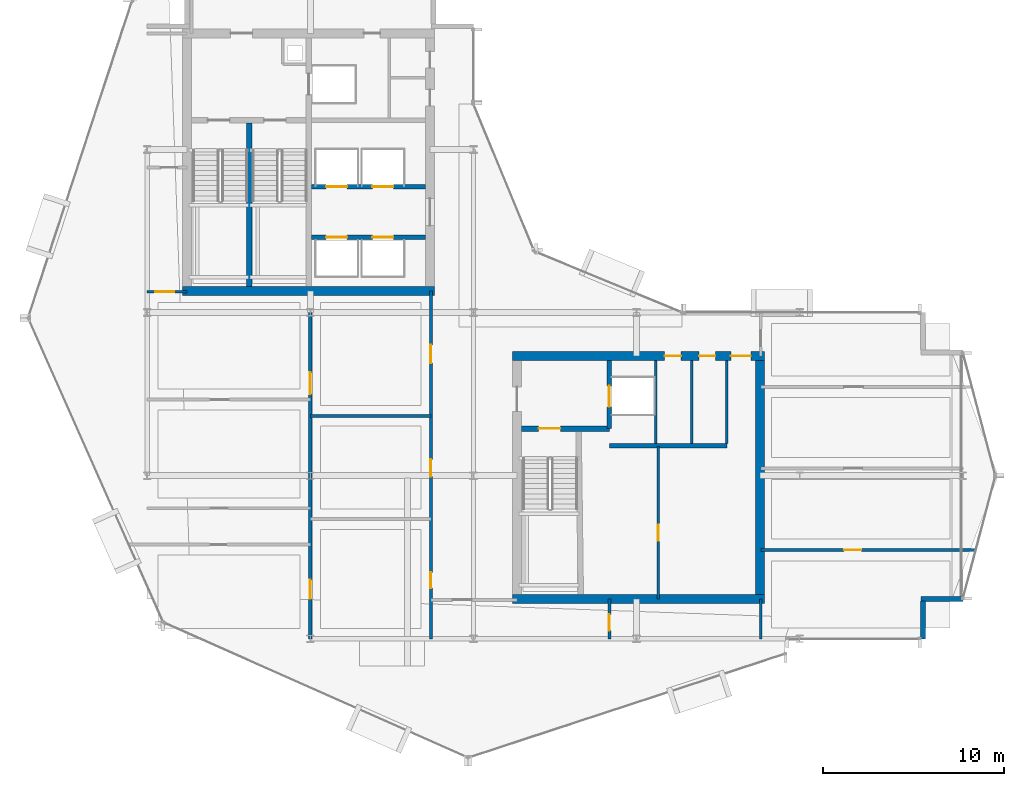
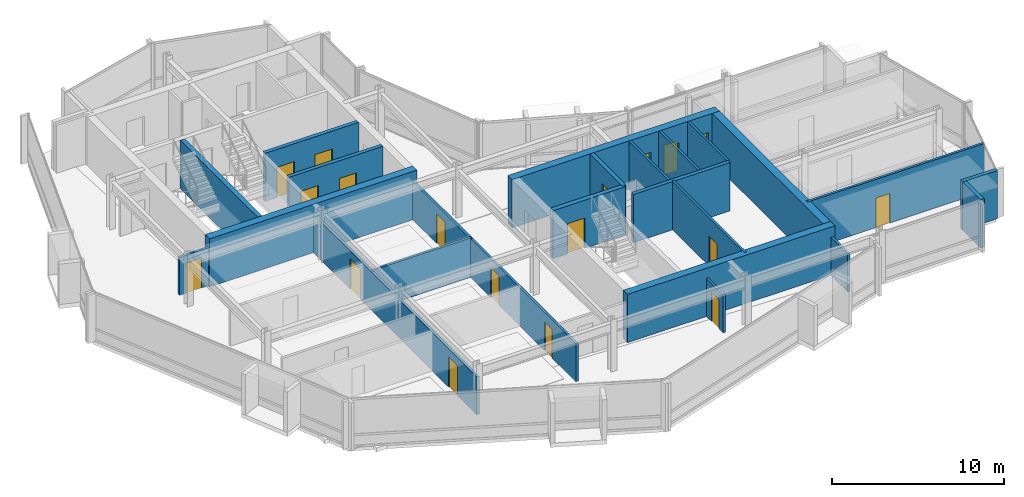
# One storey, part 20 of 28: 23 walls, 18 doors, 18 openings.
"""IFC4 building model written with IfcOpenShell, lengths in metres."""

import ifcopenshell
import ifcopenshell.guid

model = None  # the IFC model being written
_history = None  # IfcOwnerHistory: only IFC2X3 demands one
_inside = {}  # id of a spatial element -> (the spatial element, [elements in it])
_under = {}  # id of a project, library or spatial element -> (it, [spatial elements below it])
_declared = {}  # id of a project -> (the project, [libraries it declares])
_typed = {}  # id of a type object -> (the type object, [elements of that type])
_made_of = {}  # id of a material, layer set ... -> (it, [elements and type objects made of it])


def new_model(schema):
    """Start an empty IFC model of exactly this schema.

    Asked for "IFC4X3", IfcOpenShell would pick the latest addendum, in which some entities
    have other attributes; the version numbers below select the first issue.
    IFC2X3 requires an IfcOwnerHistory on every rooted entity: one is made here for all.
    """
    global model, _history
    if schema == "IFC4X3":
        model = ifcopenshell.file(schema_version=(4, 3, 0, 0))
    else:
        model = ifcopenshell.file(schema=schema)
    _inside.clear()
    _under.clear()
    _declared.clear()
    _typed.clear()
    _made_of.clear()
    _history = None
    if model.schema == "IFC2X3":
        org = make("IfcOrganization", Name="unknown")
        user = make(
            "IfcPersonAndOrganization",
            ThePerson=make("IfcPerson", FamilyName="unknown"),
            TheOrganization=org,
        )
        app = make(
            "IfcApplication",
            ApplicationDeveloper=org,
            Version="unknown",
            ApplicationFullName="unknown",
            ApplicationIdentifier="unknown",
        )
        _history = make(
            "IfcOwnerHistory",
            OwningUser=user,
            OwningApplication=app,
            ChangeAction="ADDED",
            CreationDate=0,
        )
    return model


def make(cls, **values):
    """One entity of the class cls with the attributes given. An attribute that is None is left unset."""
    return model.create_entity(
        cls, **{name: value for name, value in values.items() if value is not None}
    )


def rooted(cls, **values):
    """An entity with a GlobalId (a new one), such as an element, a storey or a relation."""
    return make(cls, GlobalId=ifcopenshell.guid.new(), OwnerHistory=_history, **values)


def si_unit(unit_type, name, prefix=None):
    """IfcSIUnit, for example si_unit("LENGTHUNIT", "METRE", prefix="MILLI")."""
    return make("IfcSIUnit", UnitType=unit_type, Prefix=prefix, Name=name)


def assignment(units):
    """IfcUnitAssignment: the units of a project."""
    return None if units is None else make("IfcUnitAssignment", Units=units)


def point(xyz):
    """IfcCartesianPoint."""
    return None if xyz is None else make("IfcCartesianPoint", Coordinates=xyz)


def direction(xyz):
    """IfcDirection."""
    return None if xyz is None else make("IfcDirection", DirectionRatios=xyz)


def frame(location, z_axis=None, x_axis=None):
    """IfcAxis2Placement3D, a coordinate frame: its origin and axes. An axis left out is left unset."""
    return make(
        "IfcAxis2Placement3D",
        Location=point(location),
        Axis=direction(z_axis),
        RefDirection=direction(x_axis),
    )


def frame_2d(location, x_axis=None):
    """IfcAxis2Placement2D, a coordinate frame in the plane: its origin and x axis."""
    return make(
        "IfcAxis2Placement2D", Location=point(location), RefDirection=direction(x_axis)
    )


def origin():
    """The frame at (0, 0, 0) with its axes left unset."""
    return frame((0.0, 0.0, 0.0))


def place(relative_to, where):
    """IfcLocalPlacement: puts the frame where relative to a parent placement (None: the world)."""
    return make(
        "IfcLocalPlacement", PlacementRelTo=relative_to, RelativePlacement=where
    )


def context(
    kind, dimensions, precision=None, world=None, true_north=None, identifier=None
):
    """IfcGeometricRepresentationContext, for example the 3D "Model" context."""
    return make(
        "IfcGeometricRepresentationContext",
        ContextIdentifier=identifier,
        ContextType=kind,
        CoordinateSpaceDimension=dimensions,
        Precision=precision,
        WorldCoordinateSystem=world,
        TrueNorth=true_north,
    )


def subcontext(parent, identifier, kind, view, scale=None):
    """IfcGeometricRepresentationSubContext, for example "Body" below "Model"."""
    return make(
        "IfcGeometricRepresentationSubContext",
        ContextIdentifier=identifier,
        ContextType=kind,
        ParentContext=parent,
        TargetScale=scale,
        TargetView=view,
    )


def project(units=None, contexts=None):
    """IfcProject with its units and contexts."""
    return rooted(
        "IfcProject",
        Name="project",
        RepresentationContexts=contexts,
        UnitsInContext=assignment(units),
    )


def spatial(cls, under=None, at=None, **own):
    """A site, building, storey or space (cls), placed at a placement, below another one or the project."""
    s = rooted(cls, ObjectPlacement=at, **own)
    if under is not None:
        _under.setdefault(under.id(), (under, []))[1].append(s)
    return s


def profile(cls, at=None, kind="AREA", **sizes):
    """A parametric profile (cls). Its sizes go by their IFC names, for example OverallWidth=200.0."""
    return make(cls, ProfileType=kind, Position=at, **sizes)


def rectangle(**sizes):
    """IfcRectangleProfileDef."""
    return profile("IfcRectangleProfileDef", **sizes)


def extrude(swept, where, along, depth):
    """IfcExtrudedAreaSolid: the profile swept, set in the frame where, extruded along a direction by depth."""
    return make(
        "IfcExtrudedAreaSolid",
        SweptArea=swept,
        Position=where,
        ExtrudedDirection=direction(along),
        Depth=depth,
    )


def shape(context_of_items, identifier, shape_type, items):
    """IfcShapeRepresentation: the items that make up one representation, for example the "Body"."""
    return make(
        "IfcShapeRepresentation",
        ContextOfItems=context_of_items,
        RepresentationIdentifier=identifier,
        RepresentationType=shape_type,
        Items=items,
    )


def material(Name=None, Category=None):
    """IfcMaterial."""
    return make("IfcMaterial", Name=Name, Category=Category)


def layer(
    of_material, thickness, ventilated=None, Name=None, Category=None, Priority=None
):
    """IfcMaterialLayer: one layer of a wall or slab, of a material (None: an air gap)."""
    return make(
        "IfcMaterialLayer",
        Material=of_material,
        LayerThickness=thickness,
        IsVentilated=ventilated,
        Name=Name,
        Category=Category,
        Priority=Priority,
    )


def layer_set(layers, Name=None):
    """IfcMaterialLayerSet."""
    return make("IfcMaterialLayerSet", MaterialLayers=layers, LayerSetName=Name)


def made_of(thing, what):
    """Note that an element or type object is made of a material, layer set ...; save() writes the relation."""
    if what is not None:
        _made_of.setdefault(what.id(), (what, []))[1].append(thing)
    return thing


def type_object(cls, material=None, **own):
    """A type object (cls), such as IfcWallType, which elements share."""
    return made_of(rooted(cls, **own), material)


def element(
    cls,
    number,
    at=None,
    inside=None,
    cuts=None,
    type_object=None,
    material=None,
    context=None,
    identifier="Body",
    shape_type=None,
    held_by="IfcProductDefinitionShape",
    body=None,
    shapes=None,
    **own,
):
    """One element of the class cls, such as IfcWall. Its Tag is "e" and its number.

    at: its placement. inside: the storey or other place that contains it. cuts: it is an
    opening in that element (IfcRelVoidsElement). A single representation is given by context,
    identifier, shape_type and body (its items); several are given by shapes. held_by: the class
    of the entity that holds the representations. save() writes the other relations.
    """
    e = rooted(cls, Tag="e%d" % number, ObjectPlacement=at, **own)
    if body is not None:
        shapes = [shape(context, identifier, shape_type, body)]
    if shapes is not None:
        e.Representation = make(held_by, Representations=shapes)
    if inside is not None:
        _inside.setdefault(inside.id(), (inside, []))[1].append(e)
    if cuts is not None:
        rooted(
            "IfcRelVoidsElement", RelatingBuildingElement=cuts, RelatedOpeningElement=e
        )
    if type_object is not None:
        _typed.setdefault(type_object.id(), (type_object, []))[1].append(e)
    return made_of(e, material)


def fill(opening, filler):
    """IfcRelFillsElement: the door or window that sits in an opening."""
    return rooted(
        "IfcRelFillsElement",
        RelatingOpeningElement=opening,
        RelatedBuildingElement=filler,
    )


def aggregate(whole, parts):
    """IfcRelAggregates: a whole, such as a stair, and the parts it consists of."""
    return rooted("IfcRelAggregates", RelatingObject=whole, RelatedObjects=parts)


def save(model, path):
    """Write the relations noted so far, then the file.

    IfcRelAggregates (storeys below a building ...), IfcRelContainedInSpatialStructure (elements
    in a storey), IfcRelDefinesByType, IfcRelAssociatesMaterial and IfcRelDeclares: one each for
    every whole, place, type object, material and project.
    """
    for whole, parts in _under.values():
        aggregate(whole, parts)
    for where, things in _inside.values():
        rooted(
            "IfcRelContainedInSpatialStructure",
            RelatedElements=things,
            RelatingStructure=where,
        )
    for kind, things in _typed.values():
        rooted("IfcRelDefinesByType", RelatedObjects=things, RelatingType=kind)
    for what, things in _made_of.values():
        rooted("IfcRelAssociatesMaterial", RelatedObjects=things, RelatingMaterial=what)
    for by, libraries in _declared.values():
        rooted("IfcRelDeclares", RelatingContext=by, RelatedDefinitions=libraries)
    model.write(path)


model = new_model("IFC4")

# Units and contexts
model_context = context("Model", 3, precision=1e-05, world=origin(), true_north=direction((0.0, 1.0)))
body_context = subcontext(model_context, "Body", "Model", "MODEL_VIEW")
ifc_project = project(units=[si_unit("LENGTHUNIT", "METRE"), si_unit("AREAUNIT", "SQUARE_METRE"), si_unit("VOLUMEUNIT", "CUBIC_METRE"), si_unit("PLANEANGLEUNIT", "RADIAN"), si_unit("MASSUNIT", "GRAM", prefix="KILO")], contexts=[model_context])

# Site, building, storey
site_placement = place(None, origin())
site = spatial("IfcSite", under=ifc_project, at=site_placement, CompositionType="ELEMENT")
building_placement = place(site_placement, origin())
building = spatial("IfcBuilding", under=site, at=building_placement, Name="Solvaryn Broadcast Tower", CompositionType="ELEMENT")
storey_placement = place(building_placement, frame((0.0, 0.0, 217.300048828125)))
storey = spatial("IfcBuildingStorey", under=building, at=storey_placement, Name="L54", CompositionType="ELEMENT", Elevation=217.300048828125)

# Walls
ifc_material_1 = material(Name="Concrete f'c 70 MPa", Category="concrete")
ifc_layer_1 = layer(ifc_material_1, 0.5)
ifc_layer_set_1 = layer_set([ifc_layer_1], Name="CW-SHEAR-500")
wall_type_1 = type_object("IfcWallType", Name="CW-SHEAR-500", PredefinedType="SHEAR", material=ifc_layer_set_1)
for number, where, z_axis, x_axis, name in (
    (1, (10.949951171875, 28.199951171875, 0.0), (0.0, 0.0, 1.0), (1.0, 0.0, 0.0), "L54 West Core South Shear Wall"),
    (2, (29.14990234375, 11.199951171875, 0.0), (0.0, 0.0, 1.0), (1.0, 0.0, 0.0), "L54 East Core South Shear Wall"),
):
    element("IfcWall", number, at=place(storey_placement, frame(where, z_axis=z_axis, x_axis=x_axis)), inside=storey, type_object=wall_type_1, Name=name, PredefinedType="SHEAR", context=body_context, shape_type="SweptSolid", body=[
        extrude(rectangle(XDim=13.900146484375, YDim=0.5, at=frame_2d((6.9501953125, 0.0))), origin(), (0.0, 0.0, 1.0), 3.419921875),
    ])

# Wall, openings, doors
wall_1_placement = place(storey_placement, frame((43.050048828125, 24.60009765625, 0.0), z_axis=(0.0, 0.0, 1.0), x_axis=(-1.0, 0.0, 0.0)))
wall_1 = element("IfcWall", 3, at=wall_1_placement, inside=storey, type_object=wall_type_1, Name="L54 East Core North Shear Wall", PredefinedType="SHEAR", context=body_context, shape_type="SweptSolid", body=[
    extrude(rectangle(XDim=13.900146484375, YDim=0.5, at=frame_2d((6.9501953125, 0.0))), origin(), (0.0, 0.0, 1.0), 3.419921875),
])
opening_1_placement = place(wall_1_placement, frame((0.75, 0.0, 0.0)))
opening_1 = element("IfcOpeningElement", 4, at=opening_1_placement, cuts=wall_1, Name="Opening FD90C", PredefinedType="OPENING", context=body_context, shape_type="SweptSolid", body=[
    extrude(rectangle(XDim=1.10009765625, YDim=2.14990234375, at=frame_2d((0.550048828125, 1.074951171875))), frame((0.0, 0.260009765625, 0.0), z_axis=(0.0, -1.0, 0.0), x_axis=(1.0, 0.0, 0.0)), (0.0, 0.0, 1.0), 0.52001953125),
])
opening_2_placement = place(wall_1_placement, frame((2.699951171875, 0.0, 0.0)))
opening_2 = element("IfcOpeningElement", 5, at=opening_2_placement, cuts=wall_1, Name="Opening FD60C", PredefinedType="OPENING", context=body_context, shape_type="SweptSolid", body=[
    extrude(rectangle(XDim=0.89990234375, YDim=2.10009765625, at=frame_2d((0.449951171875, 1.050048828125))), frame((0.0, 0.260009765625, 0.0), z_axis=(0.0, -1.0, 0.0), x_axis=(1.0, 0.0, 0.0)), (0.0, 0.0, 1.0), 0.52001953125),
])
opening_3_placement = place(wall_1_placement, frame((4.60009765625, 0.0, 0.0)))
opening_3 = element("IfcOpeningElement", 6, at=opening_3_placement, cuts=wall_1, Name="Opening FD60C", PredefinedType="OPENING", context=body_context, shape_type="SweptSolid", body=[
    extrude(rectangle(XDim=0.89990234375, YDim=2.10009765625, at=frame_2d((0.449951171875, 1.050048828125))), frame((0.0, 0.260009765625, 0.0), z_axis=(0.0, -1.0, 0.0), x_axis=(1.0, 0.0, 0.0)), (0.0, 0.0, 1.0), 0.52001953125),
])
ifc_material_2 = material(Name="Flush Acoustic Steel and Timber Door Assembly", Category="steel")
door_type_1 = type_object("IfcDoorType", Name="FD60-SERV-900X2100", OperationType="NOTDEFINED", PredefinedType="DOOR", material=ifc_material_2)
door_1_placement = place(opening_2_placement, origin())
door_1 = element("IfcDoor", 7, at=door_1_placement, inside=storey, type_object=door_type_1, Name="L54 Staff Restroom Door", OperationType="SINGLE_SWING_LEFT", OverallHeight=2.10009765625, OverallWidth=0.89990234375, PredefinedType="DOOR", context=body_context, shape_type="SweptSolid", body=[
    extrude(rectangle(XDim=0.89990234375, YDim=2.10009765625, at=frame_2d((0.449951171875, 1.050048828125))), frame((0.0, 0.02490234375, 0.0), z_axis=(0.0, -1.0, 0.0), x_axis=(1.0, 0.0, 0.0)), (0.0, 0.0, 1.0), 0.050048828125),
])
fill(opening_2, door_1)
door_2_placement = place(opening_3_placement, origin())
door_2 = element("IfcDoor", 8, at=door_2_placement, inside=storey, type_object=door_type_1, Name="L54 Accessible WC Door", OperationType="SINGLE_SWING_RIGHT", OverallHeight=2.10009765625, OverallWidth=0.89990234375, PredefinedType="DOOR", context=body_context, shape_type="SweptSolid", body=[
    extrude(rectangle(XDim=0.89990234375, YDim=2.10009765625, at=frame_2d((0.449951171875, 1.050048828125))), frame((0.0, 0.02490234375, 0.0), z_axis=(0.0, -1.0, 0.0), x_axis=(1.0, 0.0, 0.0)), (0.0, 0.0, 1.0), 0.050048828125),
])
fill(opening_3, door_2)
ifc_material_3 = material(Name="Flush Acoustic Steel and Timber Door Assembly", Category="steel")
door_type_2 = type_object("IfcDoorType", Name="FD90-PLANT-1100X2150", OperationType="NOTDEFINED", PredefinedType="DOOR", material=ifc_material_3)
door_3_placement = place(opening_1_placement, origin())
door_3 = element("IfcDoor", 9, at=door_3_placement, inside=storey, type_object=door_type_2, Name="L54 East Core Lobby Corridor Door", OperationType="SINGLE_SWING_LEFT", OverallHeight=2.14990234375, OverallWidth=1.10009765625, PredefinedType="DOOR", context=body_context, shape_type="SweptSolid", body=[
    extrude(rectangle(XDim=1.10009765625, YDim=2.14990234375, at=frame_2d((0.550048828125, 1.074951171875))), frame((0.0, 0.02490234375, 0.0), z_axis=(0.0, -1.0, 0.0), x_axis=(1.0, 0.0, 0.0)), (0.0, 0.0, 1.0), 0.050048828125),
])
fill(opening_1, door_3)

# Walls
wall_2_placement = place(storey_placement, frame((42.800048828125, 11.449951171875, 0.0), z_axis=(0.0, 0.0, 1.0), x_axis=(0.0, 1.0, 0.0)))
element("IfcWall", 10, at=wall_2_placement, inside=storey, type_object=wall_type_1, Name="L54 East Core East Shear Wall", PredefinedType="SHEAR", context=body_context, shape_type="SweptSolid", body=[
    extrude(rectangle(XDim=12.900146484375, YDim=0.5, at=frame_2d((6.4501953125, 0.0))), origin(), (0.0, 0.0, 1.0), 3.419921875),
])
ifc_material_4 = material(Name="Concrete f'c 50 MPa", Category="concrete")
ifc_layer_2 = layer(ifc_material_4, 0.260009765625)
ifc_layer_set_2 = layer_set([ifc_layer_2], Name="EW-PIER-260")
wall_type_2 = type_object("IfcWallType", Name="EW-PIER-260", PredefinedType="SOLIDWALL", material=ifc_layer_set_2)
wall_3_placement = place(storey_placement, frame((51.800048828125, 9.0, 0.0), z_axis=(0.0, 0.0, 1.0), x_axis=(0.0, 1.0, 0.0)))
element("IfcWall", 11, at=wall_3_placement, inside=storey, type_object=wall_type_2, Name="L54 Notched Corner Pier Wall NSE1", PredefinedType="SOLIDWALL", context=body_context, shape_type="SweptSolid", body=[
    extrude(rectangle(XDim=2.080078125, YDim=0.260009765625, at=frame_2d((1.0400390625, 0.0))), origin(), (0.0, 0.0, 1.0), 3.419921875),
])
wall_4_placement = place(storey_placement, frame((51.679931640625, 11.199951171875, 0.0), z_axis=(0.0, 0.0, 1.0), x_axis=(1.0, 0.0, 0.0)))
element("IfcWall", 12, at=wall_4_placement, inside=storey, type_object=wall_type_2, Name="L54 Notched Corner Pier Wall NSE2", PredefinedType="SOLIDWALL", context=body_context, shape_type="SweptSolid", body=[
    extrude(rectangle(XDim=2.320068359375, YDim=0.260009765625, at=frame_2d((1.16015625, 0.0))), origin(), (0.0, 0.0, 1.0), 3.419921875),
])

# Wall, opening, door
ifc_material_5 = material(Name="Metal-Stud Service Core Partition")
ifc_layer_3 = layer(ifc_material_5, 0.14990234375)
ifc_layer_set_3 = layer_set([ifc_layer_3], Name="IW-PART-150")
wall_type_3 = type_object("IfcWallType", Name="IW-PART-150", PredefinedType="PARTITIONING", material=ifc_layer_set_3)
wall_5_placement = place(storey_placement, frame((37.199951171875, 11.199951171875, 0.0), z_axis=(0.0, 0.0, 1.0), x_axis=(0.0, 1.0, 0.0)))
wall_5 = element("IfcWall", 13, at=wall_5_placement, inside=storey, type_object=wall_type_3, Name="L54 Interior Partition IW-L54-RPM-V", PredefinedType="PARTITIONING", context=body_context, shape_type="SweptSolid", body=[
    extrude(rectangle(XDim=8.400146484375, YDim=0.14990234375, at=frame_2d((4.2001953125, 0.0))), origin(), (0.0, 0.0, 1.0), 3.419921875),
])
opening_4_placement = place(wall_5_placement, frame((3.199951171875, 0.0, 0.0)))
opening_4 = element("IfcOpeningElement", 14, at=opening_4_placement, cuts=wall_5, Name="Opening FD60C", PredefinedType="OPENING", context=body_context, shape_type="SweptSolid", body=[
    extrude(rectangle(XDim=0.89990234375, YDim=2.10009765625, at=frame_2d((0.449951171875, 1.050048828125))), frame((0.0, 0.0849609375, 0.0), z_axis=(0.0, -1.0, 0.0), x_axis=(1.0, 0.0, 0.0)), (0.0, 0.0, 1.0), 0.169921875),
])
door_4_placement = place(opening_4_placement, origin())
door_4 = element("IfcDoor", 15, at=door_4_placement, inside=storey, type_object=door_type_1, Name="L54 Door DR-L54-RPM1", OperationType="SINGLE_SWING_LEFT", OverallHeight=2.10009765625, OverallWidth=0.89990234375, PredefinedType="DOOR", context=body_context, shape_type="SweptSolid", body=[
    extrude(rectangle(XDim=0.89990234375, YDim=2.10009765625, at=frame_2d((0.449951171875, 1.050048828125))), frame((0.0, 0.02490234375, 0.0), z_axis=(0.0, -1.0, 0.0), x_axis=(1.0, 0.0, 0.0)), (0.0, 0.0, 1.0), 0.050048828125),
])
fill(opening_4, door_4)

# Walls
for number, where, z_axis, x_axis, name in (
    (16, (37.050048828125, 19.780029296875, 0.0), (0.0, 0.0, 1.0), (0.0, 1.0, 0.0), "L54 Interior Partition IW-L54-CE-FL2E"),
    (17, (39.050048828125, 19.780029296875, 0.0), (0.0, 0.0, 1.0), (0.0, 1.0, 0.0), "L54 Interior Partition IW-L54-CE-V1"),
    (18, (40.97998046875, 19.780029296875, 0.0), (0.0, 0.0, 1.0), (0.0, 1.0, 0.0), "L54 Interior Partition IW-L54-CE-V3"),
):
    element("IfcWall", number, at=place(storey_placement, frame(where, z_axis=z_axis, x_axis=x_axis)), inside=storey, type_object=wall_type_3, Name=name, PredefinedType="PARTITIONING", context=body_context, shape_type="SweptSolid", body=[
        extrude(rectangle(XDim=4.570068359375, YDim=0.14990234375, at=frame_2d((2.28515625, 0.0))), origin(), (0.0, 0.0, 1.0), 3.419921875),
    ])

# Wall, opening, door
wall_6_placement = place(storey_placement, frame((34.5, 9.0, 0.0), z_axis=(0.0, 0.0, 1.0), x_axis=(0.0, 1.0, 0.0)))
wall_6 = element("IfcWall", 19, at=wall_6_placement, inside=storey, type_object=wall_type_3, Name="L54 Interior Partition IW-L54-SC-V", PredefinedType="PARTITIONING", context=body_context, shape_type="SweptSolid", body=[
    extrude(rectangle(XDim=2.199951171875, YDim=0.14990234375, at=frame_2d((1.10009765625, 0.0))), origin(), (0.0, 0.0, 1.0), 2.70703125),
])
opening_5_placement = place(wall_6_placement, frame((0.449951171875, 0.0, 0.0)))
opening_5 = element("IfcOpeningElement", 20, at=opening_5_placement, cuts=wall_6, Name="Opening FD60C", PredefinedType="OPENING", context=body_context, shape_type="SweptSolid", body=[
    extrude(rectangle(XDim=0.89990234375, YDim=2.10009765625, at=frame_2d((0.449951171875, 1.050048828125))), frame((0.0, 0.0849609375, 0.0), z_axis=(0.0, -1.0, 0.0), x_axis=(1.0, 0.0, 0.0)), (0.0, 0.0, 1.0), 0.169921875),
])
door_5_placement = place(opening_5_placement, origin())
door_5 = element("IfcDoor", 21, at=door_5_placement, inside=storey, type_object=door_type_1, Name="L54 Door DR-L54-SC1", OperationType="SINGLE_SWING_LEFT", OverallHeight=2.10009765625, OverallWidth=0.89990234375, PredefinedType="DOOR", context=body_context, shape_type="SweptSolid", body=[
    extrude(rectangle(XDim=0.89990234375, YDim=2.10009765625, at=frame_2d((0.449951171875, 1.050048828125))), frame((0.0, 0.02490234375, 0.0), z_axis=(0.0, -1.0, 0.0), x_axis=(1.0, 0.0, 0.0)), (0.0, 0.0, 1.0), 0.050048828125),
])
fill(opening_5, door_5)

ifc_material_6 = material(Name="Metal-Stud Gypsum Office Partition")
ifc_layer_4 = layer(ifc_material_6, 0.159912109375)
ifc_layer_set_4 = layer_set([ifc_layer_4], Name="IW-PART-160")
wall_type_4 = type_object("IfcWallType", Name="IW-PART-160", PredefinedType="PARTITIONING", material=ifc_layer_set_4)
wall_7_placement = place(storey_placement, frame((9.0, 28.14990234375, 0.0), z_axis=(0.0, 0.0, 1.0), x_axis=(1.0, 0.0, 0.0)))
wall_7 = element("IfcWall", 22, at=wall_7_placement, inside=storey, type_object=wall_type_4, Name="L54 Interior Partition IW-L54-WM-S", PredefinedType="PARTITIONING", context=body_context, shape_type="SweptSolid", body=[
    extrude(rectangle(XDim=2.199951171875, YDim=0.159912109375, at=frame_2d((1.10009765625, 0.0))), origin(), (0.0, 0.0, 1.0), 2.70703125),
])
opening_6_placement = place(wall_7_placement, frame((0.449951171875, 0.0, 0.0)))
opening_6 = element("IfcOpeningElement", 23, at=opening_6_placement, cuts=wall_7, Name="Opening ID03", PredefinedType="OPENING", context=body_context, shape_type="SweptSolid", body=[
    extrude(rectangle(XDim=1.050048828125, YDim=2.14990234375, at=frame_2d((0.52490234375, 1.074951171875))), frame((0.0, 0.090087890625, 0.0), z_axis=(0.0, -1.0, 0.0), x_axis=(1.0, 0.0, 0.0)), (0.0, 0.0, 1.0), 0.179931640625),
])
ifc_material_7 = material(Name="Flush Acoustic Steel and Timber Door Assembly", Category="steel")
door_type_3 = type_object("IfcDoorType", Name="ID-03-1050X2150", OperationType="NOTDEFINED", PredefinedType="DOOR", material=ifc_material_7)
door_6_placement = place(opening_6_placement, origin())
door_6 = element("IfcDoor", 24, at=door_6_placement, inside=storey, type_object=door_type_3, Name="L54 Door DR-L54-WM0", OperationType="SINGLE_SWING_RIGHT", OverallHeight=2.14990234375, OverallWidth=1.050048828125, PredefinedType="DOOR", context=body_context, shape_type="SweptSolid", body=[
    extrude(rectangle(XDim=1.050048828125, YDim=2.14990234375, at=frame_2d((0.52490234375, 1.074951171875))), frame((0.0, 0.02490234375, 0.0), z_axis=(0.0, -1.0, 0.0), x_axis=(1.0, 0.0, 0.0)), (0.0, 0.0, 1.0), 0.050048828125),
])
fill(opening_6, door_6)

# Wall, openings, doors
wall_8_placement = place(storey_placement, frame((24.64990234375, 9.0, 0.0), z_axis=(0.0, 0.0, 1.0), x_axis=(0.0, 1.0, 0.0)))
wall_8 = element("IfcWall", 25, at=wall_8_placement, inside=storey, type_object=wall_type_4, Name="L54 Interior Partition IW-L54-SW-EB", PredefinedType="PARTITIONING", context=body_context, shape_type="SweptSolid", body=[
    extrude(rectangle(XDim=19.199951171875, YDim=0.159912109375, at=frame_2d((9.60009765625, 0.0))), origin(), (0.0, 0.0, 1.0), 2.70703125),
])
opening_7_placement = place(wall_8_placement, frame((2.800048828125, 0.0, 0.0)))
opening_7 = element("IfcOpeningElement", 26, at=opening_7_placement, cuts=wall_8, Name="Opening ID07", PredefinedType="OPENING", context=body_context, shape_type="SweptSolid", body=[
    extrude(rectangle(XDim=0.860107421875, YDim=2.050048828125, at=frame_2d((0.43017578125, 1.02490234375))), frame((0.0, 0.090087890625, 0.0), z_axis=(0.0, -1.0, 0.0), x_axis=(1.0, 0.0, 0.0)), (0.0, 0.0, 1.0), 0.179931640625),
])
opening_8_placement = place(wall_8_placement, frame((8.949951171875, 0.0, 0.0)))
opening_8 = element("IfcOpeningElement", 27, at=opening_8_placement, cuts=wall_8, Name="Opening ID01", PredefinedType="OPENING", context=body_context, shape_type="SweptSolid", body=[
    extrude(rectangle(XDim=0.949951171875, YDim=2.10009765625, at=frame_2d((0.47509765625, 1.050048828125))), frame((0.0, 0.090087890625, 0.0), z_axis=(0.0, -1.0, 0.0), x_axis=(1.0, 0.0, 0.0)), (0.0, 0.0, 1.0), 0.179931640625),
])
opening_9_placement = place(wall_8_placement, frame((15.215087890625, 0.0, 0.0)))
opening_9 = element("IfcOpeningElement", 28, at=opening_9_placement, cuts=wall_8, Name="Opening ID02", PredefinedType="OPENING", context=body_context, shape_type="SweptSolid", body=[
    extrude(rectangle(XDim=1.0, YDim=2.10009765625, at=frame_2d((0.5, 1.050048828125))), frame((0.0, 0.090087890625, 0.0), z_axis=(0.0, -1.0, 0.0), x_axis=(1.0, 0.0, 0.0)), (0.0, 0.0, 1.0), 0.179931640625),
])
ifc_material_8 = material(Name="Flush Acoustic Steel and Timber Door Assembly", Category="steel")
door_type_4 = type_object("IfcDoorType", Name="ID-01-950X2100", OperationType="NOTDEFINED", PredefinedType="DOOR", material=ifc_material_8)
door_7_placement = place(opening_8_placement, origin())
door_7 = element("IfcDoor", 29, at=door_7_placement, inside=storey, type_object=door_type_4, Name="L54 Door DR-L54-SWE-2", OperationType="SINGLE_SWING_LEFT", OverallHeight=2.10009765625, OverallWidth=0.949951171875, PredefinedType="DOOR", context=body_context, shape_type="SweptSolid", body=[
    extrude(rectangle(XDim=0.949951171875, YDim=2.10009765625, at=frame_2d((0.47509765625, 1.050048828125))), frame((0.0, 0.02490234375, 0.0), z_axis=(0.0, -1.0, 0.0), x_axis=(1.0, 0.0, 0.0)), (0.0, 0.0, 1.0), 0.050048828125),
])
fill(opening_8, door_7)
ifc_material_9 = material(Name="Flush Acoustic Steel and Timber Door Assembly", Category="steel")
door_type_5 = type_object("IfcDoorType", Name="ID-02-1000X2100", OperationType="NOTDEFINED", PredefinedType="DOOR", material=ifc_material_9)
door_8_placement = place(opening_9_placement, origin())
door_8 = element("IfcDoor", 30, at=door_8_placement, inside=storey, type_object=door_type_5, Name="L54 Door DR-L54-SWE-3", OperationType="SINGLE_SWING_RIGHT", OverallHeight=2.10009765625, OverallWidth=1.0, PredefinedType="DOOR", context=body_context, shape_type="SweptSolid", body=[
    extrude(rectangle(XDim=1.0, YDim=2.10009765625, at=frame_2d((0.5, 1.050048828125))), frame((0.0, 0.02490234375, 0.0), z_axis=(0.0, -1.0, 0.0), x_axis=(1.0, 0.0, 0.0)), (0.0, 0.0, 1.0), 0.050048828125),
])
fill(opening_9, door_8)
ifc_material_10 = material(Name="Flush Acoustic Steel and Timber Door Assembly", Category="steel")
door_type_6 = type_object("IfcDoorType", Name="ID-07-860X2050", OperationType="NOTDEFINED", PredefinedType="DOOR", material=ifc_material_10)
door_9_placement = place(opening_7_placement, origin())
door_9 = element("IfcDoor", 31, at=door_9_placement, inside=storey, type_object=door_type_6, Name="L54 Door DR-L54-SWE-1", OperationType="SINGLE_SWING_RIGHT", OverallHeight=2.050048828125, OverallWidth=0.860107421875, PredefinedType="DOOR", context=body_context, shape_type="SweptSolid", body=[
    extrude(rectangle(XDim=0.860107421875, YDim=2.050048828125, at=frame_2d((0.43017578125, 1.02490234375))), frame((0.0, 0.02490234375, 0.0), z_axis=(0.0, -1.0, 0.0), x_axis=(1.0, 0.0, 0.0)), (0.0, 0.0, 1.0), 0.050048828125),
])
fill(opening_7, door_9)

# Walls
wall_9_placement = place(storey_placement, frame((18.0, 21.300048828125, 0.0), z_axis=(0.0, 0.0, 1.0), x_axis=(1.0, 0.0, 0.0)))
element("IfcWall", 32, at=wall_9_placement, inside=storey, type_object=wall_type_4, Name="L54 Interior Partition IW-L54-SWE-H2", PredefinedType="PARTITIONING", context=body_context, shape_type="SweptSolid", body=[
    extrude(rectangle(XDim=6.64990234375, YDim=0.159912109375, at=frame_2d((3.324951171875, 0.0))), origin(), (0.0, 0.0, 1.0), 2.7919921875),
])
wall_10_placement = place(storey_placement, frame((42.85009765625, 9.0, 0.0), z_axis=(0.0, 0.0, 1.0), x_axis=(0.0, 1.0, 0.0)))
element("IfcWall", 33, at=wall_10_placement, inside=storey, type_object=wall_type_4, Name="L54 Interior Partition IW-L54-SC-E", PredefinedType="PARTITIONING", context=body_context, shape_type="SweptSolid", body=[
    extrude(rectangle(XDim=2.199951171875, YDim=0.159912109375, at=frame_2d((1.10009765625, 0.0))), origin(), (0.0, 0.0, 1.0), 2.70703125),
])

# Wall, opening, door
wall_11_placement = place(storey_placement, frame((42.85009765625, 13.89990234375, 0.0), z_axis=(0.0, 0.0, 1.0), x_axis=(1.0, 0.0, 0.0)))
wall_11 = element("IfcWall", 34, at=wall_11_placement, inside=storey, type_object=wall_type_4, Name="L54 Interior Partition IW-L54-EW-H1", PredefinedType="PARTITIONING", context=body_context, shape_type="SweptSolid", body=[
    extrude(rectangle(XDim=11.864990234375, YDim=0.159912109375, at=frame_2d((5.9326171875, 0.0))), origin(), (0.0, 0.0, 1.0), 3.419921875),
])
opening_10_placement = place(wall_11_placement, frame((4.60009765625, 0.0, 0.0)))
opening_10 = element("IfcOpeningElement", 35, at=opening_10_placement, cuts=wall_11, Name="Opening ID01", PredefinedType="OPENING", context=body_context, shape_type="SweptSolid", body=[
    extrude(rectangle(XDim=0.949951171875, YDim=2.10009765625, at=frame_2d((0.47509765625, 1.050048828125))), frame((0.0, 0.090087890625, 0.0), z_axis=(0.0, -1.0, 0.0), x_axis=(1.0, 0.0, 0.0)), (0.0, 0.0, 1.0), 0.179931640625),
])
door_10_placement = place(opening_10_placement, origin())
door_10 = element("IfcDoor", 36, at=door_10_placement, inside=storey, type_object=door_type_4, Name="L54 Door DR-L54-EW-1", OperationType="SINGLE_SWING_LEFT", OverallHeight=2.10009765625, OverallWidth=0.949951171875, PredefinedType="DOOR", context=body_context, shape_type="SweptSolid", body=[
    extrude(rectangle(XDim=0.949951171875, YDim=2.10009765625, at=frame_2d((0.47509765625, 1.050048828125))), frame((0.0, 0.02490234375, 0.0), z_axis=(0.0, -1.0, 0.0), x_axis=(1.0, 0.0, 0.0)), (0.0, 0.0, 1.0), 0.050048828125),
])
fill(opening_10, door_10)

# Wall, openings, doors
ifc_material_11 = material(Name="Acoustic Metal-Stud Gypsum Partition")
ifc_layer_5 = layer(ifc_material_11, 0.179931640625)
ifc_layer_set_5 = layer_set([ifc_layer_5], Name="IW-PART-180")
wall_type_5 = type_object("IfcWallType", Name="IW-PART-180", PredefinedType="PARTITIONING", material=ifc_layer_set_5)
wall_12_placement = place(storey_placement, frame((18.0, 9.0, 0.0), z_axis=(0.0, 0.0, 1.0), x_axis=(0.0, 1.0, 0.0)))
wall_12 = element("IfcWall", 37, at=wall_12_placement, inside=storey, type_object=wall_type_5, Name="L54 Interior Partition IW-L54-SW-VX", PredefinedType="PARTITIONING", context=body_context, shape_type="SweptSolid", body=[
    extrude(rectangle(XDim=19.1298828125, YDim=0.179931640625, at=frame_2d((9.56494140625, 0.0))), origin(), (0.0, 0.0, 1.0), 2.70703125),
])
opening_11_placement = place(wall_12_placement, frame((2.199951171875, 0.0, 0.0)))
opening_11 = element("IfcOpeningElement", 38, at=opening_11_placement, cuts=wall_12, Name="Opening ID03", PredefinedType="OPENING", context=body_context, shape_type="SweptSolid", body=[
    extrude(rectangle(XDim=1.050048828125, YDim=2.14990234375, at=frame_2d((0.52490234375, 1.074951171875))), frame((0.0, 0.099853515625, 0.0), z_axis=(0.0, -1.0, 0.0), x_axis=(1.0, 0.0, 0.0)), (0.0, 0.0, 1.0), 0.199951171875),
])
opening_12_placement = place(wall_12_placement, frame((13.5, 0.0, 0.0)))
opening_12 = element("IfcOpeningElement", 39, at=opening_12_placement, cuts=wall_12, Name="Opening ID04", PredefinedType="OPENING", context=body_context, shape_type="SweptSolid", body=[
    extrude(rectangle(XDim=1.199951171875, YDim=2.14990234375, at=frame_2d((0.60009765625, 1.074951171875))), frame((0.0, 0.099853515625, 0.0), z_axis=(0.0, -1.0, 0.0), x_axis=(1.0, 0.0, 0.0)), (0.0, 0.0, 1.0), 0.199951171875),
])
door_11_placement = place(opening_11_placement, origin())
door_11 = element("IfcDoor", 40, at=door_11_placement, inside=storey, type_object=door_type_3, Name="L54 Door DR-L54-SWW-X1", OperationType="SINGLE_SWING_LEFT", OverallHeight=2.14990234375, OverallWidth=1.050048828125, PredefinedType="DOOR", context=body_context, shape_type="SweptSolid", body=[
    extrude(rectangle(XDim=1.050048828125, YDim=2.14990234375, at=frame_2d((0.52490234375, 1.074951171875))), frame((0.0, 0.02490234375, 0.0), z_axis=(0.0, -1.0, 0.0), x_axis=(1.0, 0.0, 0.0)), (0.0, 0.0, 1.0), 0.050048828125),
])
fill(opening_11, door_11)
ifc_material_12 = material(Name="Flush Acoustic Steel and Timber Door Assembly", Category="steel")
door_type_7 = type_object("IfcDoorType", Name="ID-04-1200X2150", OperationType="NOTDEFINED", PredefinedType="DOOR", material=ifc_material_12)
door_12_placement = place(opening_12_placement, origin())
door_12 = element("IfcDoor", 41, at=door_12_placement, inside=storey, type_object=door_type_7, Name="L54 Door DR-L54-SWW-X2", OperationType="SINGLE_SWING_RIGHT", OverallHeight=2.14990234375, OverallWidth=1.199951171875, PredefinedType="DOOR", context=body_context, shape_type="SweptSolid", body=[
    extrude(rectangle(XDim=1.199951171875, YDim=2.14990234375, at=frame_2d((0.60009765625, 1.074951171875))), frame((0.0, 0.02490234375, 0.0), z_axis=(0.0, -1.0, 0.0), x_axis=(1.0, 0.0, 0.0)), (0.0, 0.0, 1.0), 0.050048828125),
])
fill(opening_12, door_12)

ifc_material_13 = material(Name="Concrete f'c 60 MPa", Category="concrete")
ifc_layer_6 = layer(ifc_material_13, 0.25)
ifc_layer_set_6 = layer_set([ifc_layer_6], Name="SW-SHAFT-250")
wall_type_6 = type_object("IfcWallType", Name="SW-SHAFT-250", PredefinedType="PARTITIONING", material=ifc_layer_set_6)
wall_13_placement = place(storey_placement, frame((18.070068359375, 31.14990234375, 0.0), z_axis=(0.0, 0.0, 1.0), x_axis=(1.0, 0.0, 0.0)))
wall_13 = element("IfcWall", 42, at=wall_13_placement, inside=storey, type_object=wall_type_6, Name="L54 High-Rise Lift Bank South Wall", PredefinedType="PARTITIONING", context=body_context, shape_type="SweptSolid", body=[
    extrude(rectangle(XDim=6.280029296875, YDim=0.25, at=frame_2d((3.14013671875, 0.0))), origin(), (0.0, 0.0, 1.0), 3.419921875),
])
opening_13_placement = place(wall_13_placement, frame((0.804931640625, 0.0, 0.0)))
opening_13 = element("IfcOpeningElement", 43, at=opening_13_placement, cuts=wall_13, Name="Opening LD01", PredefinedType="OPENING", context=body_context, shape_type="SweptSolid", body=[
    extrude(rectangle(XDim=1.14990234375, YDim=2.14990234375, at=frame_2d((0.574951171875, 1.074951171875))), frame((0.0, 0.135009765625, 0.0), z_axis=(0.0, -1.0, 0.0), x_axis=(1.0, 0.0, 0.0)), (0.0, 0.0, 1.0), 0.27001953125),
])
opening_14_placement = place(wall_13_placement, frame((3.35498046875, 0.0, 0.0)))
opening_14 = element("IfcOpeningElement", 44, at=opening_14_placement, cuts=wall_13, Name="Opening LD01", PredefinedType="OPENING", context=body_context, shape_type="SweptSolid", body=[
    extrude(rectangle(XDim=1.14990234375, YDim=2.14990234375, at=frame_2d((0.574951171875, 1.074951171875))), frame((0.0, 0.135009765625, 0.0), z_axis=(0.0, -1.0, 0.0), x_axis=(1.0, 0.0, 0.0)), (0.0, 0.0, 1.0), 0.27001953125),
])
ifc_material_14 = material(Name="Flush Acoustic Steel and Timber Door Assembly", Category="steel")
door_type_8 = type_object("IfcDoorType", Name="LD-LIFT-1150X2150", OperationType="NOTDEFINED", PredefinedType="DOOR", material=ifc_material_14)
door_13_placement = place(opening_13_placement, origin())
door_13 = element("IfcDoor", 45, at=door_13_placement, inside=storey, type_object=door_type_8, Name="L54 PH1 Lift Landing Door", OperationType="DOUBLE_DOOR_SLIDING", OverallHeight=2.14990234375, OverallWidth=1.14990234375, PredefinedType="DOOR", context=body_context, shape_type="SweptSolid", body=[
    extrude(rectangle(XDim=1.14990234375, YDim=2.14990234375, at=frame_2d((0.574951171875, 1.074951171875))), frame((0.0, 0.02490234375, 0.0), z_axis=(0.0, -1.0, 0.0), x_axis=(1.0, 0.0, 0.0)), (0.0, 0.0, 1.0), 0.050048828125),
])
fill(opening_13, door_13)
door_14_placement = place(opening_14_placement, origin())
door_14 = element("IfcDoor", 46, at=door_14_placement, inside=storey, type_object=door_type_8, Name="L54 PH2 Lift Landing Door", OperationType="DOUBLE_DOOR_SLIDING", OverallHeight=2.14990234375, OverallWidth=1.14990234375, PredefinedType="DOOR", context=body_context, shape_type="SweptSolid", body=[
    extrude(rectangle(XDim=1.14990234375, YDim=2.14990234375, at=frame_2d((0.574951171875, 1.074951171875))), frame((0.0, 0.02490234375, 0.0), z_axis=(0.0, -1.0, 0.0), x_axis=(1.0, 0.0, 0.0)), (0.0, 0.0, 1.0), 0.050048828125),
])
fill(opening_14, door_14)

wall_14_placement = place(storey_placement, frame((24.35009765625, 33.949951171875, 0.0), z_axis=(0.0, 0.0, 1.0), x_axis=(-1.0, 0.0, 0.0)))
wall_14 = element("IfcWall", 47, at=wall_14_placement, inside=storey, type_object=wall_type_6, Name="L54 High-Rise Lift Bank North Wall", PredefinedType="PARTITIONING", context=body_context, shape_type="SweptSolid", body=[
    extrude(rectangle(XDim=6.280029296875, YDim=0.25, at=frame_2d((3.14013671875, 0.0))), origin(), (0.0, 0.0, 1.0), 3.419921875),
])
opening_15_placement = place(wall_14_placement, frame((4.324951171875, 0.0, 0.0)))
opening_15 = element("IfcOpeningElement", 48, at=opening_15_placement, cuts=wall_14, Name="Opening LD01", PredefinedType="OPENING", context=body_context, shape_type="SweptSolid", body=[
    extrude(rectangle(XDim=1.14990234375, YDim=2.14990234375, at=frame_2d((0.574951171875, 1.074951171875))), frame((0.0, 0.135009765625, 0.0), z_axis=(0.0, -1.0, 0.0), x_axis=(1.0, 0.0, 0.0)), (0.0, 0.0, 1.0), 0.27001953125),
])
opening_16_placement = place(wall_14_placement, frame((1.77490234375, 0.0, 0.0)))
opening_16 = element("IfcOpeningElement", 49, at=opening_16_placement, cuts=wall_14, Name="Opening LD01", PredefinedType="OPENING", context=body_context, shape_type="SweptSolid", body=[
    extrude(rectangle(XDim=1.14990234375, YDim=2.14990234375, at=frame_2d((0.574951171875, 1.074951171875))), frame((0.0, 0.135009765625, 0.0), z_axis=(0.0, -1.0, 0.0), x_axis=(1.0, 0.0, 0.0)), (0.0, 0.0, 1.0), 0.27001953125),
])
door_15_placement = place(opening_15_placement, origin())
door_15 = element("IfcDoor", 50, at=door_15_placement, inside=storey, type_object=door_type_8, Name="L54 PH3 Lift Landing Door", OperationType="DOUBLE_DOOR_SLIDING", OverallHeight=2.14990234375, OverallWidth=1.14990234375, PredefinedType="DOOR", context=body_context, shape_type="SweptSolid", body=[
    extrude(rectangle(XDim=1.14990234375, YDim=2.14990234375, at=frame_2d((0.574951171875, 1.074951171875))), frame((0.0, 0.02490234375, 0.0), z_axis=(0.0, -1.0, 0.0), x_axis=(1.0, 0.0, 0.0)), (0.0, 0.0, 1.0), 0.050048828125),
])
fill(opening_15, door_15)
door_16_placement = place(opening_16_placement, origin())
door_16 = element("IfcDoor", 51, at=door_16_placement, inside=storey, type_object=door_type_8, Name="L54 PH4 Lift Landing Door", OperationType="DOUBLE_DOOR_SLIDING", OverallHeight=2.14990234375, OverallWidth=1.14990234375, PredefinedType="DOOR", context=body_context, shape_type="SweptSolid", body=[
    extrude(rectangle(XDim=1.14990234375, YDim=2.14990234375, at=frame_2d((0.574951171875, 1.074951171875))), frame((0.0, 0.02490234375, 0.0), z_axis=(0.0, -1.0, 0.0), x_axis=(1.0, 0.0, 0.0)), (0.0, 0.0, 1.0), 0.050048828125),
])
fill(opening_16, door_16)

# Wall, opening, door
wall_15_placement = place(storey_placement, frame((34.5, 20.60009765625, 0.0), z_axis=(0.0, 0.0, 1.0), x_axis=(0.0, 1.0, 0.0)))
wall_15 = element("IfcWall", 52, at=wall_15_placement, inside=storey, type_object=wall_type_6, Name="L54 East FSAE Lobby East Wall", PredefinedType="PARTITIONING", context=body_context, shape_type="SweptSolid", body=[
    extrude(rectangle(XDim=3.75, YDim=0.25, at=frame_2d((1.875, 0.0))), origin(), (0.0, 0.0, 1.0), 3.419921875),
])
opening_17_placement = place(wall_15_placement, frame((1.199951171875, 0.0, 0.0)))
opening_17 = element("IfcOpeningElement", 53, at=opening_17_placement, cuts=wall_15, Name="Opening LD01", PredefinedType="OPENING", context=body_context, shape_type="SweptSolid", body=[
    extrude(rectangle(XDim=1.14990234375, YDim=2.14990234375, at=frame_2d((0.574951171875, 1.074951171875))), frame((0.0, 0.135009765625, 0.0), z_axis=(0.0, -1.0, 0.0), x_axis=(1.0, 0.0, 0.0)), (0.0, 0.0, 1.0), 0.27001953125),
])
door_17_placement = place(opening_17_placement, origin())
door_17 = element("IfcDoor", 54, at=door_17_placement, inside=storey, type_object=door_type_8, Name="L54 FL2 Lift Landing Door", OperationType="DOUBLE_DOOR_SLIDING", OverallHeight=2.14990234375, OverallWidth=1.14990234375, PredefinedType="DOOR", context=body_context, shape_type="SweptSolid", body=[
    extrude(rectangle(XDim=1.14990234375, YDim=2.14990234375, at=frame_2d((0.574951171875, 1.074951171875))), frame((0.0, 0.02490234375, 0.0), z_axis=(0.0, -1.0, 0.0), x_axis=(1.0, 0.0, 0.0)), (0.0, 0.0, 1.0), 0.050048828125),
])
fill(opening_17, door_17)

# Walls
wall_16_placement = place(storey_placement, frame((34.5, 19.64990234375, 0.0), z_axis=(0.0, 0.0, 1.0), x_axis=(1.0, 0.0, 0.0)))
element("IfcWall", 55, at=wall_16_placement, inside=storey, type_object=wall_type_6, Name="L54 East Core Restroom South Wall", PredefinedType="PARTITIONING", context=body_context, shape_type="SweptSolid", body=[
    extrude(rectangle(XDim=6.47998046875, YDim=0.25, at=frame_2d((3.239990234375, 0.0))), origin(), (0.0, 0.0, 1.0), 3.419921875),
])
ifc_material_15 = material(Name="Concrete f'c 70 MPa", Category="concrete")
ifc_layer_7 = layer(ifc_material_15, 0.300048828125)
ifc_layer_set_7 = layer_set([ifc_layer_7], Name="SW-SHAFT-300")
wall_type_7 = type_object("IfcWallType", Name="SW-SHAFT-300", PredefinedType="SHEAR", material=ifc_layer_set_7)
wall_17_placement = place(storey_placement, frame((14.6201171875, 28.449951171875, 0.0), z_axis=(0.0, 0.0, 1.0), x_axis=(0.0, 1.0, 0.0)))
element("IfcWall", 56, at=wall_17_placement, inside=storey, type_object=wall_type_7, Name="L54 Stair 1-2 Dividing Wall", PredefinedType="SHEAR", context=body_context, shape_type="SweptSolid", body=[
    extrude(rectangle(XDim=9.0, YDim=0.300048828125, at=frame_2d((4.5, 0.0))), origin(), (0.0, 0.0, 1.0), 3.419921875),
])

# Wall, opening, door
wall_18_placement = place(storey_placement, frame((34.5, 20.60009765625, 0.0), z_axis=(0.0, 0.0, 1.0), x_axis=(-1.0, 0.0, 0.0)))
wall_18 = element("IfcWall", 57, at=wall_18_placement, inside=storey, type_object=wall_type_7, Name="L54 East FSAE Lobby South Wall", PredefinedType="SHEAR", context=body_context, shape_type="SweptSolid", body=[
    extrude(rectangle(XDim=4.85009765625, YDim=0.300048828125, at=frame_2d((2.425048828125, 0.0))), origin(), (0.0, 0.0, 1.0), 3.419921875),
])
opening_18_placement = place(wall_18_placement, frame((2.699951171875, 0.0, 0.0)))
opening_18 = element("IfcOpeningElement", 58, at=opening_18_placement, cuts=wall_18, Name="Opening FD90A", PredefinedType="OPENING", context=body_context, shape_type="SweptSolid", body=[
    extrude(rectangle(XDim=1.199951171875, YDim=2.14990234375, at=frame_2d((0.60009765625, 1.074951171875))), frame((0.0, 0.159912109375, 0.0), z_axis=(0.0, -1.0, 0.0), x_axis=(1.0, 0.0, 0.0)), (0.0, 0.0, 1.0), 0.320068359375),
])
ifc_material_16 = material(Name="Flush Acoustic Steel and Timber Door Assembly", Category="steel")
door_type_9 = type_object("IfcDoorType", Name="FD90-STAIR-1200X2150", OperationType="NOTDEFINED", PredefinedType="DOOR", material=ifc_material_16)
door_18_placement = place(opening_18_placement, origin())
door_18 = element("IfcDoor", 59, at=door_18_placement, inside=storey, type_object=door_type_9, Name="L54 Stair 3 Fire Door", OperationType="SINGLE_SWING_LEFT", OverallHeight=2.14990234375, OverallWidth=1.199951171875, PredefinedType="DOOR", context=body_context, shape_type="SweptSolid", body=[
    extrude(rectangle(XDim=1.199951171875, YDim=2.14990234375, at=frame_2d((0.60009765625, 1.074951171875))), frame((0.0, 0.02490234375, 0.0), z_axis=(0.0, -1.0, 0.0), x_axis=(1.0, 0.0, 0.0)), (0.0, 0.0, 1.0), 0.050048828125),
])
fill(opening_18, door_18)

save(model, "model.ifc")
